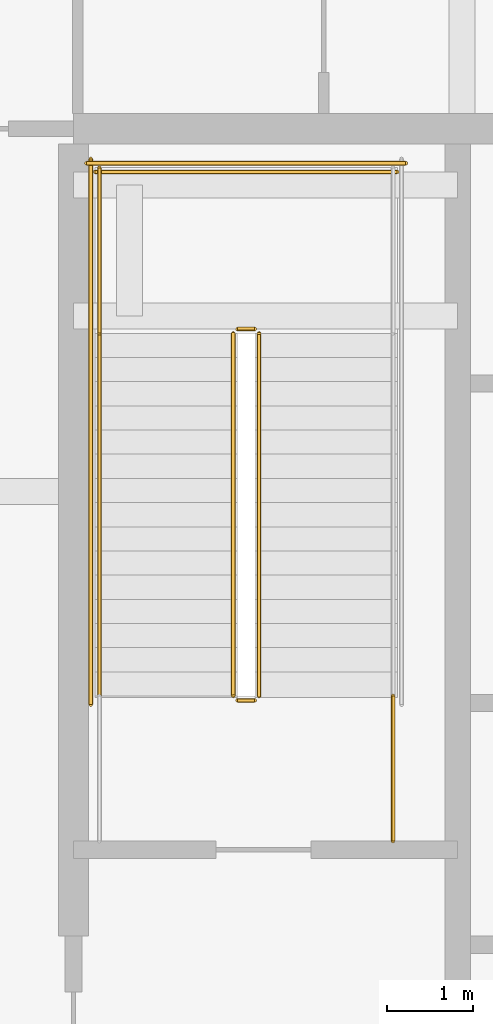
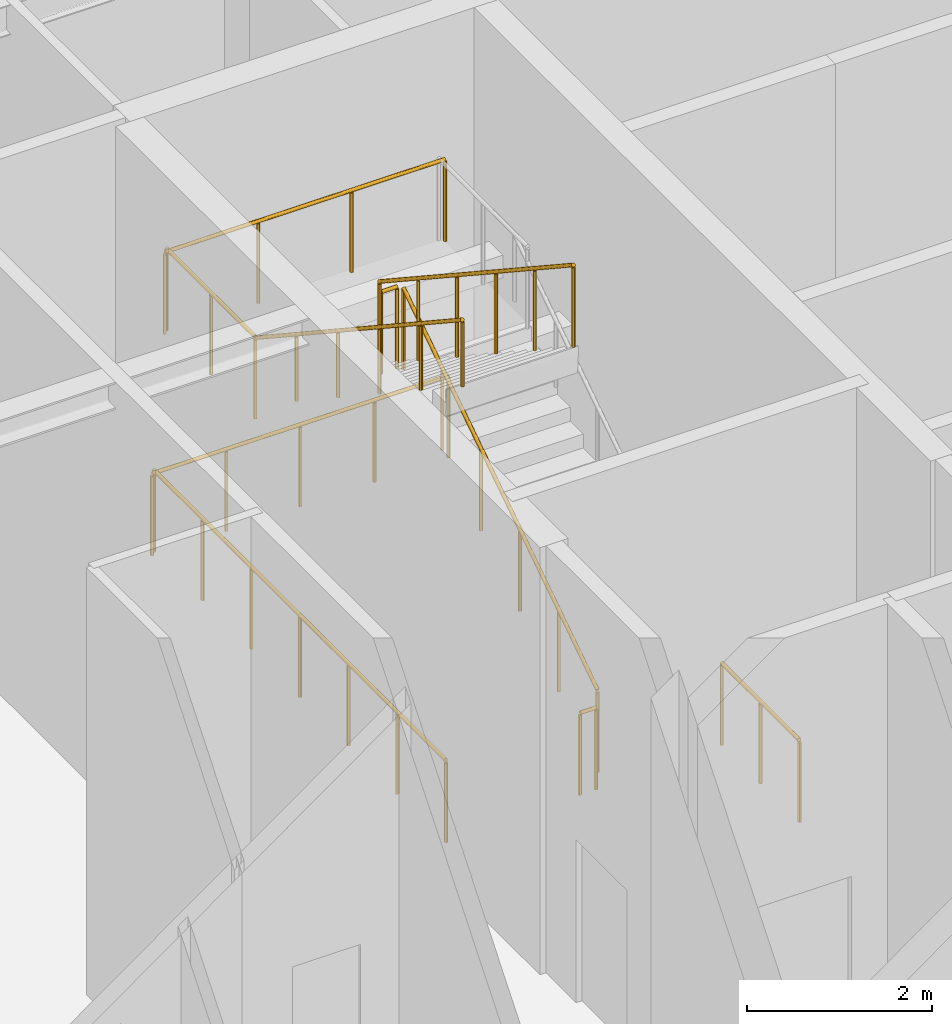
# One storey, part 37 of 40: 10 railings.
"""IFC4 building model written with IfcOpenShell, lengths in metres."""

from ifc_helpers import new_model, si_unit, direction, frame, origin, origin_2d, place, context, subcontext, project, spatial, circle, extrude, material, type_object, element, save


model = new_model("IFC4")

# Units and contexts
model_context = context("Model", 3, precision=1e-05, world=origin(), true_north=direction((0.0, 1.0)))
body_context = subcontext(model_context, "Body", "Model", "MODEL_VIEW")
ifc_project = project(units=[si_unit("LENGTHUNIT", "METRE"), si_unit("AREAUNIT", "SQUARE_METRE"), si_unit("VOLUMEUNIT", "CUBIC_METRE"), si_unit("PLANEANGLEUNIT", "RADIAN"), si_unit("MASSUNIT", "GRAM", prefix="KILO")], contexts=[model_context])

# Site, building, storey
site_placement = place(None, origin())
site = spatial("IfcSite", under=ifc_project, at=site_placement, CompositionType="ELEMENT")
building_placement = place(site_placement, origin())
building = spatial("IfcBuilding", under=site, at=building_placement, Name="Serunith Strait Residences", CompositionType="ELEMENT")
storey_placement = place(building_placement, frame((0.0, 0.0, 347.949951171875)))
storey = spatial("IfcBuildingStorey", under=building, at=storey_placement, Name="L86", CompositionType="ELEMENT", Elevation=347.949951171875)

# Railings
ifc_material = material(Name="Brushed stainless steel 316L", Category="steel")
railing_type_1 = type_object("IfcRailingType", Name="RLG-STAIR-GUARD", PredefinedType="BALUSTRADE", material=ifc_material)
railing_1_placement = place(storey_placement, frame((25.550048828125, 27.030029296875, 0.184326171875)))
element("IfcRailing", 1, at=railing_1_placement, inside=storey, type_object=railing_type_1, Name="L86 ST-1 stair guard 1", PredefinedType="BALUSTRADE", context=body_context, shape_type="SweptSolid", body=[
    extrude(circle(Radius=0.02392578125, at=origin_2d()), frame((0.0, 0.001708984375, 1.0771484375), z_axis=(0.0, 0.835188813412, 0.549963313278), x_axis=(-1.0, 0.0, 0.0)), (0.0, 0.0, 1.0), 5.024658203125),
    extrude(circle(Radius=0.02099609375, at=origin_2d()), origin(), (0.0, 0.0, 1.0), 1.050048828125),
    extrude(circle(Radius=0.02099609375, at=origin_2d()), frame((0.0, 0.840087890625, 0.55322265625)), (0.0, 0.0, 1.0), 1.050048828125),
    extrude(circle(Radius=0.02099609375, at=origin_2d()), frame((0.0, 1.679931640625, 1.106201171875)), (0.0, 0.0, 1.0), 1.050048828125),
    extrude(circle(Radius=0.02099609375, at=origin_2d()), frame((0.0, 2.52001953125, 1.659423828125)), (0.0, 0.0, 1.0), 1.050048828125),
    extrude(circle(Radius=0.02099609375, at=origin_2d()), frame((0.0, 3.35986328125, 2.21240234375)), (0.0, 0.0, 1.0), 1.050048828125),
    extrude(circle(Radius=0.02099609375, at=origin_2d()), frame((0.0, 4.199951171875, 2.765625)), (0.0, 0.0, 1.0), 1.050048828125),
])
railing_2_placement = place(storey_placement, frame((25.5, 31.280029296875, 2.949951171875)))
element("IfcRailing", 2, at=railing_2_placement, inside=storey, type_object=railing_type_1, Name="L86 ST-1 stair guard 2", PredefinedType="BALUSTRADE", context=body_context, shape_type="SweptSolid", body=[
    extrude(circle(Radius=0.02392578125, at=origin_2d()), frame((-0.001953125, 0.0, 1.076171875), z_axis=(-1.0, 0.0, 0.0), x_axis=(0.0, -1.0, 0.0)), (0.0, 0.0, 1.0), 0.196044921875),
    extrude(circle(Radius=0.02099609375, at=origin_2d()), origin(), (0.0, 0.0, 1.0), 1.050048828125),
    extrude(circle(Radius=0.02099609375, at=origin_2d()), frame((-0.199951171875, 0.0, 0.0)), (0.0, 0.0, 1.0), 1.050048828125),
])
railing_3_placement = place(storey_placement, frame((23.699951171875, 31.22998046875, 2.949951171875)))
element("IfcRailing", 3, at=railing_3_placement, inside=storey, type_object=railing_type_1, Name="L86 ST-1 stair guard 4", PredefinedType="BALUSTRADE", context=body_context, shape_type="SweptSolid", body=[
    extrude(circle(Radius=0.02392578125, at=origin_2d()), frame((0.0, 0.001953125, 1.076171875), z_axis=(0.0, 1.0, 0.0), x_axis=(-1.0, 0.0, 0.0)), (0.0, 0.0, 1.0), 1.916015625),
    extrude(circle(Radius=0.02099609375, at=origin_2d()), origin(), (0.0, 0.0, 1.0), 1.050048828125),
    extrude(circle(Radius=0.02099609375, at=origin_2d()), frame((0.0, 0.9599609375, 0.0)), (0.0, 0.0, 1.0), 1.050048828125),
    extrude(circle(Radius=0.02099609375, at=origin_2d()), frame((0.0, 1.919921875, 0.0)), (0.0, 0.0, 1.0), 1.050048828125),
])
railing_4_placement = place(storey_placement, frame((27.14990234375, 33.10009765625, 2.949951171875)))
element("IfcRailing", 4, at=railing_4_placement, inside=storey, type_object=railing_type_1, Name="L86 ST-1 stair guard 5", PredefinedType="BALUSTRADE", context=body_context, shape_type="SweptSolid", body=[
    extrude(circle(Radius=0.02392578125, at=origin_2d()), frame((-0.001953125, 0.0, 1.076171875), z_axis=(-1.0, 0.0, 0.0), x_axis=(0.0, -1.0, 0.0)), (0.0, 0.0, 1.0), 3.49609375),
    extrude(circle(Radius=0.02099609375, at=origin_2d()), origin(), (0.0, 0.0, 1.0), 1.050048828125),
    extrude(circle(Radius=0.02099609375, at=origin_2d()), frame((-1.166748046875, 0.0, 0.0)), (0.0, 0.0, 1.0), 1.050048828125),
    extrude(circle(Radius=0.02099609375, at=origin_2d()), frame((-2.333251953125, 0.0, 0.0)), (0.0, 0.0, 1.0), 1.050048828125),
    extrude(circle(Radius=0.02099609375, at=origin_2d()), frame((-3.5, 0.0, 0.0)), (0.0, 0.0, 1.0), 1.050048828125),
])
railing_5_placement = place(storey_placement, frame((25.25, 31.22998046875, 3.134521484375)))
element("IfcRailing", 5, at=railing_5_placement, inside=storey, type_object=railing_type_1, Name="L86 ST-1 stair guard 6", PredefinedType="BALUSTRADE", context=body_context, shape_type="SweptSolid", body=[
    extrude(circle(Radius=0.02392578125, at=origin_2d()), frame((0.0, -0.001708984375, 1.0771484375), z_axis=(0.0, -0.835188813412, 0.549963313278), x_axis=(1.0, 0.0, 0.0)), (0.0, 0.0, 1.0), 5.024658203125),
    extrude(circle(Radius=0.02099609375, at=origin_2d()), origin(), (0.0, 0.0, 1.0), 1.050048828125),
    extrude(circle(Radius=0.02099609375, at=origin_2d()), frame((0.0, -0.840087890625, 0.55322265625)), (0.0, 0.0, 1.0), 1.050048828125),
    extrude(circle(Radius=0.02099609375, at=origin_2d()), frame((0.0, -1.679931640625, 1.106201171875)), (0.0, 0.0, 1.0), 1.050048828125),
    extrude(circle(Radius=0.02099609375, at=origin_2d()), frame((0.0, -2.52001953125, 1.659423828125)), (0.0, 0.0, 1.0), 1.050048828125),
    extrude(circle(Radius=0.02099609375, at=origin_2d()), frame((0.0, -3.35986328125, 2.21240234375)), (0.0, 0.0, 1.0), 1.050048828125),
    extrude(circle(Radius=0.02099609375, at=origin_2d()), frame((0.0, -4.199951171875, 2.765625)), (0.0, 0.0, 1.0), 1.050048828125),
])
railing_6_placement = place(storey_placement, frame((25.5, 26.97998046875, 0.0)))
element("IfcRailing", 6, at=railing_6_placement, inside=storey, type_object=railing_type_1, Name="L86 ST-1 stair guard 7", PredefinedType="BALUSTRADE", context=body_context, shape_type="SweptSolid", body=[
    extrude(circle(Radius=0.02392578125, at=origin_2d()), frame((-0.001953125, 0.0, 1.076171875), z_axis=(-1.0, 0.0, 0.0), x_axis=(0.0, -1.0, 0.0)), (0.0, 0.0, 1.0), 0.196044921875),
    extrude(circle(Radius=0.02099609375, at=origin_2d()), origin(), (0.0, 0.0, 1.0), 1.050048828125),
    extrude(circle(Radius=0.02099609375, at=origin_2d()), frame((-0.199951171875, 0.0, 0.0)), (0.0, 0.0, 1.0), 1.050048828125),
])
railing_7_placement = place(storey_placement, frame((27.10009765625, 25.35009765625, 0.0)))
element("IfcRailing", 7, at=railing_7_placement, inside=storey, type_object=railing_type_1, Name="L86 ST-1 stair guard 8", PredefinedType="BALUSTRADE", context=body_context, shape_type="SweptSolid", body=[
    extrude(circle(Radius=0.02392578125, at=origin_2d()), frame((0.0, 0.001953125, 1.076171875), z_axis=(0.0, 1.0, 0.0), x_axis=(-1.0, 0.0, 0.0)), (0.0, 0.0, 1.0), 1.676025390625),
    extrude(circle(Radius=0.02099609375, at=origin_2d()), origin(), (0.0, 0.0, 1.0), 1.050048828125),
    extrude(circle(Radius=0.02099609375, at=origin_2d()), frame((0.0, 0.83984375, 0.0)), (0.0, 0.0, 1.0), 1.050048828125),
    extrude(circle(Radius=0.02099609375, at=origin_2d()), frame((0.0, 1.679931640625, 0.0)), (0.0, 0.0, 1.0), 1.050048828125),
])
railing_8_placement = place(storey_placement, frame((23.60009765625, 26.929931640625, 0.0)))
element("IfcRailing", 8, at=railing_8_placement, inside=storey, type_object=railing_type_1, Name="L86 ST-1 stair guard 11", PredefinedType="BALUSTRADE", context=body_context, shape_type="SweptSolid", body=[
    extrude(circle(Radius=0.02392578125, at=origin_2d()), frame((0.0, 0.001953125, 1.076171875), z_axis=(0.0, 1.0, 0.0), x_axis=(-1.0, 0.0, 0.0)), (0.0, 0.0, 1.0), 6.316162109375),
    extrude(circle(Radius=0.02099609375, at=origin_2d()), origin(), (0.0, 0.0, 1.0), 1.050048828125),
    extrude(circle(Radius=0.02099609375, at=origin_2d()), frame((0.0, 1.05322265625, 0.0)), (0.0, 0.0, 1.0), 1.050048828125),
    extrude(circle(Radius=0.02099609375, at=origin_2d()), frame((0.0, 2.106689453125, 0.0)), (0.0, 0.0, 1.0), 1.050048828125),
    extrude(circle(Radius=0.02099609375, at=origin_2d()), frame((0.0, 3.16015625, 0.0)), (0.0, 0.0, 1.0), 1.050048828125),
    extrude(circle(Radius=0.02099609375, at=origin_2d()), frame((0.0, 4.21337890625, 0.0)), (0.0, 0.0, 1.0), 1.050048828125),
    extrude(circle(Radius=0.02099609375, at=origin_2d()), frame((0.0, 5.2666015625, 0.0)), (0.0, 0.0, 1.0), 1.050048828125),
    extrude(circle(Radius=0.02099609375, at=origin_2d()), frame((0.0, 6.320068359375, 0.0)), (0.0, 0.0, 1.0), 1.050048828125),
])
railing_9_placement = place(storey_placement, frame((27.25, 33.199951171875, 0.0)))
element("IfcRailing", 9, at=railing_9_placement, inside=storey, type_object=railing_type_1, Name="L86 ST-1 stair guard 12", PredefinedType="BALUSTRADE", context=body_context, shape_type="SweptSolid", body=[
    extrude(circle(Radius=0.02392578125, at=origin_2d()), frame((-0.001953125, 0.0, 1.076171875), z_axis=(-1.0, 0.0, 0.0), x_axis=(0.0, -1.0, 0.0)), (0.0, 0.0, 1.0), 3.696044921875),
    extrude(circle(Radius=0.02099609375, at=origin_2d()), origin(), (0.0, 0.0, 1.0), 1.050048828125),
    extrude(circle(Radius=0.02099609375, at=origin_2d()), frame((-0.925048828125, 0.0, 0.0)), (0.0, 0.0, 1.0), 1.050048828125),
    extrude(circle(Radius=0.02099609375, at=origin_2d()), frame((-1.85009765625, 0.0, 0.0)), (0.0, 0.0, 1.0), 1.050048828125),
    extrude(circle(Radius=0.02099609375, at=origin_2d()), frame((-2.77490234375, 0.0, 0.0)), (0.0, 0.0, 1.0), 1.050048828125),
    extrude(circle(Radius=0.02099609375, at=origin_2d()), frame((-3.699951171875, 0.0, 0.0)), (0.0, 0.0, 1.0), 1.050048828125),
])
railing_type_2 = type_object("IfcRailingType", Name="RLG-STAIR-HR", PredefinedType="HANDRAIL", material=ifc_material)
railing_10_placement = place(storey_placement, frame((23.699951171875, 31.22998046875, 3.134521484375)))
element("IfcRailing", 10, at=railing_10_placement, inside=storey, type_object=railing_type_2, Name="L86 ST-1 stair handrail 2", PredefinedType="HANDRAIL", context=body_context, shape_type="SweptSolid", body=[
    extrude(circle(Radius=0.02392578125, at=origin_2d()), frame((0.0, -0.001708984375, 0.876953125), z_axis=(0.0, -0.834776682998, 0.55058867544), x_axis=(1.0, 0.0, 0.0)), (0.0, 0.0, 1.0), 5.36279296875),
    extrude(circle(Radius=0.02099609375, at=origin_2d()), origin(), (0.0, 0.0, 1.0), 0.849853515625),
    extrude(circle(Radius=0.02099609375, at=origin_2d()), frame((0.0, -0.89599609375, 0.591064453125)), (0.0, 0.0, 1.0), 0.849853515625),
    extrude(circle(Radius=0.02099609375, at=origin_2d()), frame((0.0, -1.7919921875, 1.181884765625)), (0.0, 0.0, 1.0), 0.849853515625),
    extrude(circle(Radius=0.02099609375, at=origin_2d()), frame((0.0, -2.68798828125, 1.77294921875)), (0.0, 0.0, 1.0), 0.849853515625),
    extrude(circle(Radius=0.02099609375, at=origin_2d()), frame((0.0, -3.583984375, 2.36376953125)), (0.0, 0.0, 1.0), 0.849853515625),
    extrude(circle(Radius=0.02099609375, at=origin_2d()), frame((0.0, -4.47998046875, 2.954833984375)), (0.0, 0.0, 1.0), 0.849853515625),
])

save(model, "model.ifc")
